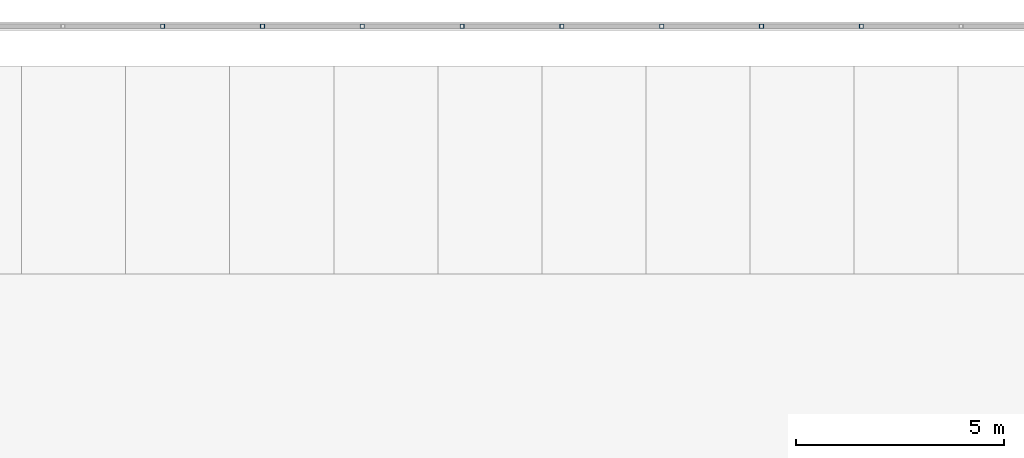
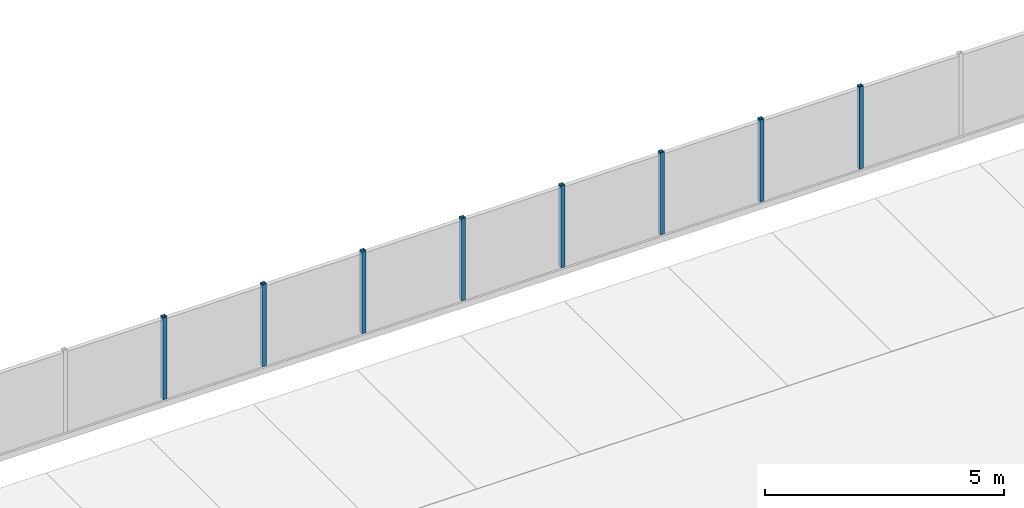
# One storey, part 28 of 129: 8 members.
"""IFC4 building model written with IfcOpenShell, lengths in metres."""

from ifc_helpers import new_model, si_unit, direction, frame, origin, origin_2d, place, context, subcontext, project, spatial, hollow_rectangle, extrude, material, material_profile, profile_set, type_object, element, save


model = new_model("IFC4")

# Units and contexts
model_context = context("Model", 3, precision=1e-05, world=origin(), true_north=direction((0.0, 1.0)))
body_context = subcontext(model_context, "Body", "Model", "MODEL_VIEW")
ifc_project = project(units=[si_unit("LENGTHUNIT", "METRE"), si_unit("AREAUNIT", "SQUARE_METRE"), si_unit("VOLUMEUNIT", "CUBIC_METRE"), si_unit("PLANEANGLEUNIT", "RADIAN"), si_unit("MASSUNIT", "GRAM", prefix="KILO")], contexts=[model_context])

# Site, building, storey
site_placement = place(None, origin())
site = spatial("IfcSite", under=ifc_project, at=site_placement, CompositionType="ELEMENT")
building_placement = place(site_placement, origin())
building = spatial("IfcBuilding", under=site, at=building_placement, Name="Kiln Court Media Centre", CompositionType="ELEMENT")
storey_placement = place(building_placement, origin())
storey = spatial("IfcBuildingStorey", under=building, at=storey_placement, Name="L00", CompositionType="ELEMENT", Elevation=0.0)

# Members
ifc_material = material(Name="Steel ASTM A500 Gr C", Category="steel")
ifc_material_profile = material_profile(ifc_material, hollow_rectangle(XDim=0.10009765625, YDim=0.10009765625, WallThickness=0.00634765625, at=origin_2d()), Name="SHS 100x100x6.3")
ifc_profile_set = profile_set([ifc_material_profile], Name="Steel ASTM A500 Gr C")
member_type = type_object("IfcMemberType", Name="Steel ASTM A500 Gr C fence post SHS 100x100x6.3", PredefinedType="USERDEFINED", material=ifc_profile_set)
for number, where, z_axis, x_axis, name in (
    (1, (103.18798828125, 87.85009765625, -1.050048828125), (0.0, 0.0, 1.0), (1.0, 0.0, 0.0), "Fence post 42"),
    (2, (105.58642578125, 87.85009765625, -1.050048828125), (0.0, 0.0, 1.0), (1.0, 0.0, 0.0), "Fence post 43"),
    (3, (107.98486328125, 87.85009765625, -1.050048828125), (0.0, 0.0, 1.0), (1.0, 0.0, 0.0), "Fence post 44"),
    (4, (110.38330078125, 87.85009765625, -1.050048828125), (0.0, 0.0, 1.0), (1.0, 0.0, 0.0), "Fence post 45"),
    (5, (112.781982421875, 87.85009765625, -1.050048828125), (0.0, 0.0, 1.0), (1.0, 0.0, 0.0), "Fence post 46"),
    (6, (115.180419921875, 87.85009765625, -1.050048828125), (0.0, 0.0, 1.0), (1.0, 0.0, 0.0), "Fence post 47"),
    (7, (117.578857421875, 87.85009765625, -1.050048828125), (0.0, 0.0, 1.0), (1.0, 0.0, 0.0), "Fence post 48"),
    (8, (119.977294921875, 87.85009765625, -1.050048828125), (0.0, 0.0, 1.0), (1.0, 0.0, 0.0), "Fence post 49"),
):
    element("IfcMember", number, at=place(storey_placement, frame(where, z_axis=z_axis, x_axis=x_axis)), inside=storey, type_object=member_type, Name=name, ObjectType="FENCE POST", PredefinedType="USERDEFINED", context=body_context, shape_type="SweptSolid", body=[
        extrude(hollow_rectangle(XDim=0.10009765625, YDim=0.10009765625, WallThickness=0.00634765625, at=origin_2d()), origin(), (0.0, 0.0, 1.0), 2.10009765625),
    ])

save(model, "model.ifc")
